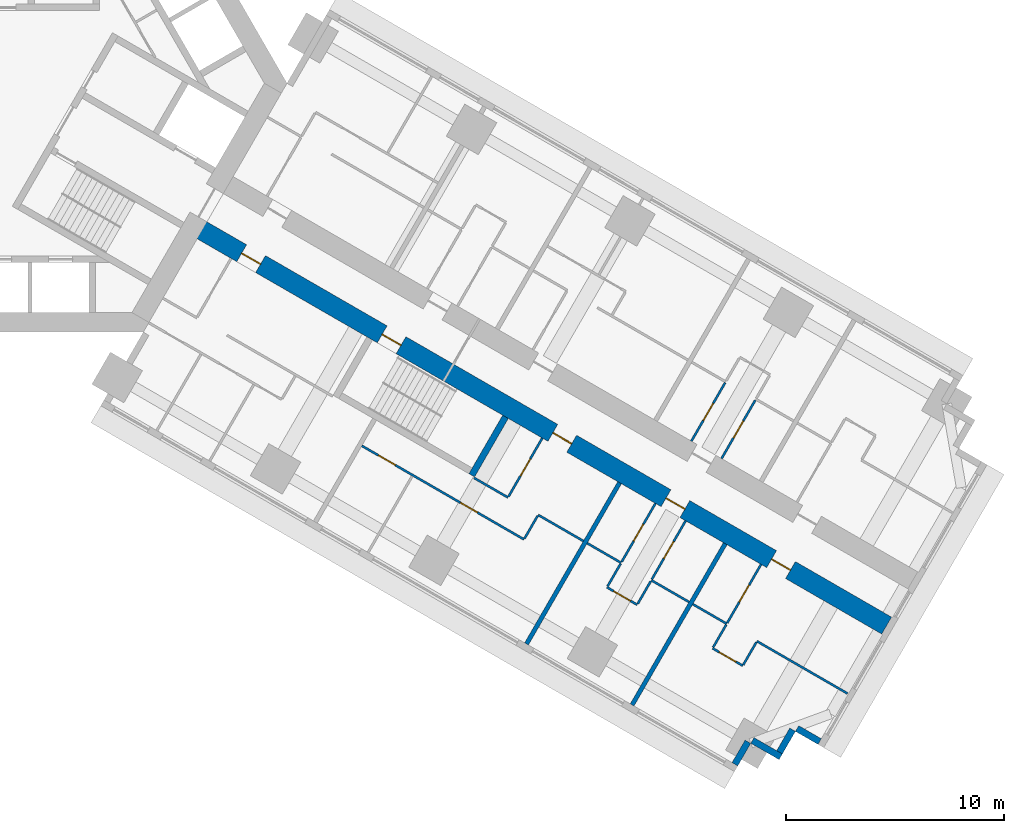
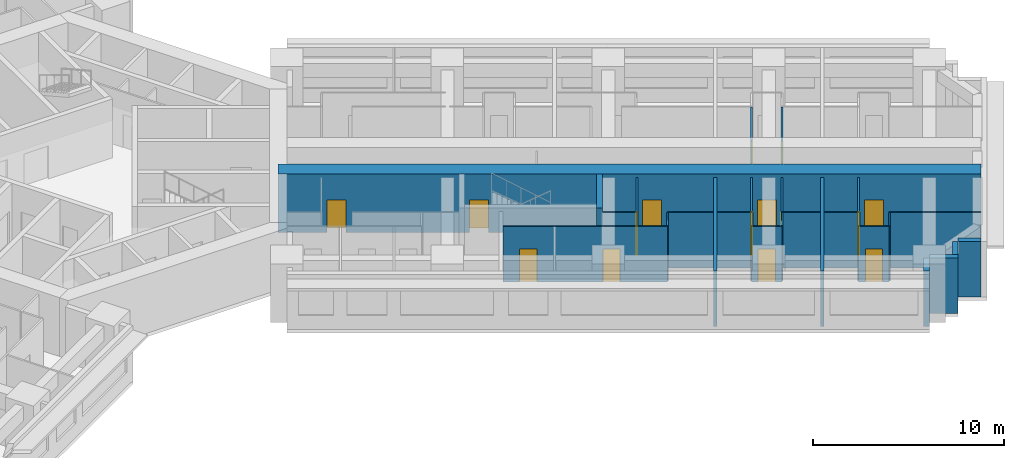
# One storey, part 11 of 16: 28 walls, 15 doors, 15 openings.
"""IFC4 building model written with IfcOpenShell, lengths in metres."""

import ifcopenshell
import ifcopenshell.guid

model = None  # the IFC model being written
_history = None  # IfcOwnerHistory: only IFC2X3 demands one
_inside = {}  # id of a spatial element -> (the spatial element, [elements in it])
_under = {}  # id of a project, library or spatial element -> (it, [spatial elements below it])
_declared = {}  # id of a project -> (the project, [libraries it declares])
_typed = {}  # id of a type object -> (the type object, [elements of that type])
_made_of = {}  # id of a material, layer set ... -> (it, [elements and type objects made of it])


def new_model(schema):
    """Start an empty IFC model of exactly this schema.

    Asked for "IFC4X3", IfcOpenShell would pick the latest addendum, in which some entities
    have other attributes; the version numbers below select the first issue.
    IFC2X3 requires an IfcOwnerHistory on every rooted entity: one is made here for all.
    """
    global model, _history
    if schema == "IFC4X3":
        model = ifcopenshell.file(schema_version=(4, 3, 0, 0))
    else:
        model = ifcopenshell.file(schema=schema)
    _inside.clear()
    _under.clear()
    _declared.clear()
    _typed.clear()
    _made_of.clear()
    _history = None
    if model.schema == "IFC2X3":
        org = make("IfcOrganization", Name="unknown")
        user = make(
            "IfcPersonAndOrganization",
            ThePerson=make("IfcPerson", FamilyName="unknown"),
            TheOrganization=org,
        )
        app = make(
            "IfcApplication",
            ApplicationDeveloper=org,
            Version="unknown",
            ApplicationFullName="unknown",
            ApplicationIdentifier="unknown",
        )
        _history = make(
            "IfcOwnerHistory",
            OwningUser=user,
            OwningApplication=app,
            ChangeAction="ADDED",
            CreationDate=0,
        )
    return model


def make(cls, **values):
    """One entity of the class cls with the attributes given. An attribute that is None is left unset."""
    return model.create_entity(
        cls, **{name: value for name, value in values.items() if value is not None}
    )


def rooted(cls, **values):
    """An entity with a GlobalId (a new one), such as an element, a storey or a relation."""
    return make(cls, GlobalId=ifcopenshell.guid.new(), OwnerHistory=_history, **values)


def si_unit(unit_type, name, prefix=None):
    """IfcSIUnit, for example si_unit("LENGTHUNIT", "METRE", prefix="MILLI")."""
    return make("IfcSIUnit", UnitType=unit_type, Prefix=prefix, Name=name)


def assignment(units):
    """IfcUnitAssignment: the units of a project."""
    return None if units is None else make("IfcUnitAssignment", Units=units)


def point(xyz):
    """IfcCartesianPoint."""
    return None if xyz is None else make("IfcCartesianPoint", Coordinates=xyz)


def direction(xyz):
    """IfcDirection."""
    return None if xyz is None else make("IfcDirection", DirectionRatios=xyz)


def frame(location, z_axis=None, x_axis=None):
    """IfcAxis2Placement3D, a coordinate frame: its origin and axes. An axis left out is left unset."""
    return make(
        "IfcAxis2Placement3D",
        Location=point(location),
        Axis=direction(z_axis),
        RefDirection=direction(x_axis),
    )


def frame_2d(location, x_axis=None):
    """IfcAxis2Placement2D, a coordinate frame in the plane: its origin and x axis."""
    return make(
        "IfcAxis2Placement2D", Location=point(location), RefDirection=direction(x_axis)
    )


def origin():
    """The frame at (0, 0, 0) with its axes left unset."""
    return frame((0.0, 0.0, 0.0))


def place(relative_to, where):
    """IfcLocalPlacement: puts the frame where relative to a parent placement (None: the world)."""
    return make(
        "IfcLocalPlacement", PlacementRelTo=relative_to, RelativePlacement=where
    )


def context(
    kind, dimensions, precision=None, world=None, true_north=None, identifier=None
):
    """IfcGeometricRepresentationContext, for example the 3D "Model" context."""
    return make(
        "IfcGeometricRepresentationContext",
        ContextIdentifier=identifier,
        ContextType=kind,
        CoordinateSpaceDimension=dimensions,
        Precision=precision,
        WorldCoordinateSystem=world,
        TrueNorth=true_north,
    )


def subcontext(parent, identifier, kind, view, scale=None):
    """IfcGeometricRepresentationSubContext, for example "Body" below "Model"."""
    return make(
        "IfcGeometricRepresentationSubContext",
        ContextIdentifier=identifier,
        ContextType=kind,
        ParentContext=parent,
        TargetScale=scale,
        TargetView=view,
    )


def project(units=None, contexts=None):
    """IfcProject with its units and contexts."""
    return rooted(
        "IfcProject",
        Name="project",
        RepresentationContexts=contexts,
        UnitsInContext=assignment(units),
    )


def spatial(cls, under=None, at=None, **own):
    """A site, building, storey or space (cls), placed at a placement, below another one or the project."""
    s = rooted(cls, ObjectPlacement=at, **own)
    if under is not None:
        _under.setdefault(under.id(), (under, []))[1].append(s)
    return s


def profile(cls, at=None, kind="AREA", **sizes):
    """A parametric profile (cls). Its sizes go by their IFC names, for example OverallWidth=200.0."""
    return make(cls, ProfileType=kind, Position=at, **sizes)


def rectangle(**sizes):
    """IfcRectangleProfileDef."""
    return profile("IfcRectangleProfileDef", **sizes)


def extrude(swept, where, along, depth):
    """IfcExtrudedAreaSolid: the profile swept, set in the frame where, extruded along a direction by depth."""
    return make(
        "IfcExtrudedAreaSolid",
        SweptArea=swept,
        Position=where,
        ExtrudedDirection=direction(along),
        Depth=depth,
    )


def shape(context_of_items, identifier, shape_type, items):
    """IfcShapeRepresentation: the items that make up one representation, for example the "Body"."""
    return make(
        "IfcShapeRepresentation",
        ContextOfItems=context_of_items,
        RepresentationIdentifier=identifier,
        RepresentationType=shape_type,
        Items=items,
    )


def material(Name=None, Category=None):
    """IfcMaterial."""
    return make("IfcMaterial", Name=Name, Category=Category)


def layer(
    of_material, thickness, ventilated=None, Name=None, Category=None, Priority=None
):
    """IfcMaterialLayer: one layer of a wall or slab, of a material (None: an air gap)."""
    return make(
        "IfcMaterialLayer",
        Material=of_material,
        LayerThickness=thickness,
        IsVentilated=ventilated,
        Name=Name,
        Category=Category,
        Priority=Priority,
    )


def layer_set(layers, Name=None):
    """IfcMaterialLayerSet."""
    return make("IfcMaterialLayerSet", MaterialLayers=layers, LayerSetName=Name)


def made_of(thing, what):
    """Note that an element or type object is made of a material, layer set ...; save() writes the relation."""
    if what is not None:
        _made_of.setdefault(what.id(), (what, []))[1].append(thing)
    return thing


def type_object(cls, material=None, **own):
    """A type object (cls), such as IfcWallType, which elements share."""
    return made_of(rooted(cls, **own), material)


def element(
    cls,
    number,
    at=None,
    inside=None,
    cuts=None,
    type_object=None,
    material=None,
    context=None,
    identifier="Body",
    shape_type=None,
    held_by="IfcProductDefinitionShape",
    body=None,
    shapes=None,
    **own,
):
    """One element of the class cls, such as IfcWall. Its Tag is "e" and its number.

    at: its placement. inside: the storey or other place that contains it. cuts: it is an
    opening in that element (IfcRelVoidsElement). A single representation is given by context,
    identifier, shape_type and body (its items); several are given by shapes. held_by: the class
    of the entity that holds the representations. save() writes the other relations.
    """
    e = rooted(cls, Tag="e%d" % number, ObjectPlacement=at, **own)
    if body is not None:
        shapes = [shape(context, identifier, shape_type, body)]
    if shapes is not None:
        e.Representation = make(held_by, Representations=shapes)
    if inside is not None:
        _inside.setdefault(inside.id(), (inside, []))[1].append(e)
    if cuts is not None:
        rooted(
            "IfcRelVoidsElement", RelatingBuildingElement=cuts, RelatedOpeningElement=e
        )
    if type_object is not None:
        _typed.setdefault(type_object.id(), (type_object, []))[1].append(e)
    return made_of(e, material)


def fill(opening, filler):
    """IfcRelFillsElement: the door or window that sits in an opening."""
    return rooted(
        "IfcRelFillsElement",
        RelatingOpeningElement=opening,
        RelatedBuildingElement=filler,
    )


def aggregate(whole, parts):
    """IfcRelAggregates: a whole, such as a stair, and the parts it consists of."""
    return rooted("IfcRelAggregates", RelatingObject=whole, RelatedObjects=parts)


def save(model, path):
    """Write the relations noted so far, then the file.

    IfcRelAggregates (storeys below a building ...), IfcRelContainedInSpatialStructure (elements
    in a storey), IfcRelDefinesByType, IfcRelAssociatesMaterial and IfcRelDeclares: one each for
    every whole, place, type object, material and project.
    """
    for whole, parts in _under.values():
        aggregate(whole, parts)
    for where, things in _inside.values():
        rooted(
            "IfcRelContainedInSpatialStructure",
            RelatedElements=things,
            RelatingStructure=where,
        )
    for kind, things in _typed.values():
        rooted("IfcRelDefinesByType", RelatedObjects=things, RelatingType=kind)
    for what, things in _made_of.values():
        rooted("IfcRelAssociatesMaterial", RelatedObjects=things, RelatingMaterial=what)
    for by, libraries in _declared.values():
        rooted("IfcRelDeclares", RelatingContext=by, RelatedDefinitions=libraries)
    model.write(path)


model = new_model("IFC4")

# Units and contexts
model_context = context("Model", 3, precision=1e-05, world=origin(), true_north=direction((0.0, 1.0)))
body_context = subcontext(model_context, "Body", "Model", "MODEL_VIEW")
ifc_project = project(units=[si_unit("LENGTHUNIT", "METRE"), si_unit("AREAUNIT", "SQUARE_METRE"), si_unit("VOLUMEUNIT", "CUBIC_METRE"), si_unit("PLANEANGLEUNIT", "RADIAN"), si_unit("MASSUNIT", "GRAM", prefix="KILO")], contexts=[model_context])

# Site, building, storey
site_placement = place(None, origin())
site = spatial("IfcSite", under=ifc_project, at=site_placement, CompositionType="ELEMENT")
building_placement = place(site_placement, origin())
building = spatial("IfcBuilding", under=site, at=building_placement, Name="Impinga Residences", CompositionType="ELEMENT")
storey_placement = place(building_placement, frame((0.0, 0.0, 48.5)))
storey = spatial("IfcBuildingStorey", under=building, at=storey_placement, Name="L11", CompositionType="ELEMENT", Elevation=48.5)

# Wall, openings, doors
ifc_material_1 = material(Name="Concrete C70/85", Category="concrete")
ifc_layer_1 = layer(ifc_material_1, 0.89990234375)
ifc_layer_set_1 = layer_set([ifc_layer_1], Name="Concrete C70/85")
wall_type_1 = type_object("IfcWallType", Name="BW1 corridor buttress wall, L05 to L22 900", PredefinedType="SHEAR", material=ifc_layer_set_1)
wall_1_placement = place(storey_placement, frame((8.910400390625, -6.530029296875, 0.0), z_axis=(0.0, 0.0, 1.0), x_axis=(0.866025284237, -0.500000207062, 0.0)))
wall_1 = element("IfcWall", 1, at=wall_1_placement, inside=storey, type_object=wall_type_1, Name="Corridor wall BW1 ED L11", PredefinedType="SHEAR", context=body_context, shape_type="SweptSolid", body=[
    extrude(rectangle(XDim=36.75, YDim=0.89990234375, at=frame_2d((18.375, 0.0))), origin(), (0.0, 0.0, 1.0), 3.75),
])
opening_1_placement = place(wall_1_placement, frame((10.0, 0.0, 0.0)))
opening_1 = element("IfcOpeningElement", 2, at=opening_1_placement, cuts=wall_1, Name="Opening D5", PredefinedType="OPENING", context=body_context, shape_type="SweptSolid", body=[
    extrude(rectangle(XDim=1.0, YDim=2.10009765625, at=frame_2d((0.5, 1.050048828125))), frame((0.0, 0.4599609375, 0.0), z_axis=(0.0, -1.0, 0.0), x_axis=(1.0, 0.0, 0.0)), (0.0, 0.0, 1.0), 0.919921875),
])
opening_2_placement = place(wall_1_placement, frame((2.550048828125, 0.0, 0.0)))
opening_2 = element("IfcOpeningElement", 3, at=opening_2_placement, cuts=wall_1, Name="Opening D1", PredefinedType="OPENING", context=body_context, shape_type="SweptSolid", body=[
    extrude(rectangle(XDim=1.0, YDim=2.10009765625, at=frame_2d((0.5, 1.050048828125))), frame((0.0, 0.4599609375, 0.0), z_axis=(0.0, -1.0, 0.0), x_axis=(1.0, 0.0, 0.0)), (0.0, 0.0, 1.0), 0.919921875),
])
opening_3_placement = place(wall_1_placement, frame((19.050048828125, 0.0, 0.0)))
opening_3 = element("IfcOpeningElement", 4, at=opening_3_placement, cuts=wall_1, Name="Opening D1", PredefinedType="OPENING", context=body_context, shape_type="SweptSolid", body=[
    extrude(rectangle(XDim=1.0, YDim=2.10009765625, at=frame_2d((0.5, 1.050048828125))), frame((0.0, 0.4599609375, 0.0), z_axis=(0.0, -1.0, 0.0), x_axis=(1.0, 0.0, 0.0)), (0.0, 0.0, 1.0), 0.919921875),
])
opening_4_placement = place(wall_1_placement, frame((25.050048828125, 0.0, 0.0)))
opening_4 = element("IfcOpeningElement", 5, at=opening_4_placement, cuts=wall_1, Name="Opening D1", PredefinedType="OPENING", context=body_context, shape_type="SweptSolid", body=[
    extrude(rectangle(XDim=1.0, YDim=2.10009765625, at=frame_2d((0.5, 1.050048828125))), frame((0.0, 0.4599609375, 0.0), z_axis=(0.0, -1.0, 0.0), x_axis=(1.0, 0.0, 0.0)), (0.0, 0.0, 1.0), 0.919921875),
])
opening_5_placement = place(wall_1_placement, frame((30.64990234375, 0.0, 0.0)))
opening_5 = element("IfcOpeningElement", 6, at=opening_5_placement, cuts=wall_1, Name="Opening D1", PredefinedType="OPENING", context=body_context, shape_type="SweptSolid", body=[
    extrude(rectangle(XDim=1.0, YDim=2.10009765625, at=frame_2d((0.5, 1.050048828125))), frame((0.0, 0.4599609375, 0.0), z_axis=(0.0, -1.0, 0.0), x_axis=(1.0, 0.0, 0.0)), (0.0, 0.0, 1.0), 0.919921875),
])
ifc_material_2 = material(Name="Timber door set", Category="wood")
door_type_1 = type_object("IfcDoorType", Name="D1 apartment entrance door 1000x2100", OperationType="SINGLE_SWING_LEFT", PredefinedType="DOOR", material=ifc_material_2)
door_1_placement = place(opening_2_placement, origin())
door_1 = element("IfcDoor", 7, at=door_1_placement, inside=storey, type_object=door_type_1, Name="Apartment L11-EF1 entrance", OperationType="SINGLE_SWING_LEFT", OverallHeight=2.10009765625, OverallWidth=1.0, PredefinedType="DOOR", context=body_context, shape_type="SweptSolid", body=[
    extrude(rectangle(XDim=1.0, YDim=2.10009765625, at=frame_2d((0.5, 1.050048828125))), frame((0.0, 0.02490234375, 0.0), z_axis=(0.0, -1.0, 0.0), x_axis=(1.0, 0.0, 0.0)), (0.0, 0.0, 1.0), 0.050048828125),
])
fill(opening_2, door_1)
door_2_placement = place(opening_3_placement, origin())
door_2 = element("IfcDoor", 8, at=door_2_placement, inside=storey, type_object=door_type_1, Name="Apartment L11-EF2 entrance", OperationType="SINGLE_SWING_RIGHT", OverallHeight=2.10009765625, OverallWidth=1.0, PredefinedType="DOOR", context=body_context, shape_type="SweptSolid", body=[
    extrude(rectangle(XDim=1.0, YDim=2.10009765625, at=frame_2d((0.5, 1.050048828125))), frame((0.0, 0.02490234375, 0.0), z_axis=(0.0, -1.0, 0.0), x_axis=(1.0, 0.0, 0.0)), (0.0, 0.0, 1.0), 0.050048828125),
])
fill(opening_3, door_2)
door_3_placement = place(opening_4_placement, origin())
door_3 = element("IfcDoor", 9, at=door_3_placement, inside=storey, type_object=door_type_1, Name="Apartment L11-EF3 entrance", OperationType="SINGLE_SWING_RIGHT", OverallHeight=2.10009765625, OverallWidth=1.0, PredefinedType="DOOR", context=body_context, shape_type="SweptSolid", body=[
    extrude(rectangle(XDim=1.0, YDim=2.10009765625, at=frame_2d((0.5, 1.050048828125))), frame((0.0, 0.02490234375, 0.0), z_axis=(0.0, -1.0, 0.0), x_axis=(1.0, 0.0, 0.0)), (0.0, 0.0, 1.0), 0.050048828125),
])
fill(opening_4, door_3)
door_4_placement = place(opening_5_placement, origin())
door_4 = element("IfcDoor", 10, at=door_4_placement, inside=storey, type_object=door_type_1, Name="Apartment L11-EF4 entrance", OperationType="SINGLE_SWING_RIGHT", OverallHeight=2.10009765625, OverallWidth=1.0, PredefinedType="DOOR", context=body_context, shape_type="SweptSolid", body=[
    extrude(rectangle(XDim=1.0, YDim=2.10009765625, at=frame_2d((0.5, 1.050048828125))), frame((0.0, 0.02490234375, 0.0), z_axis=(0.0, -1.0, 0.0), x_axis=(1.0, 0.0, 0.0)), (0.0, 0.0, 1.0), 0.050048828125),
])
fill(opening_5, door_4)
door_type_2 = type_object("IfcDoorType", Name="D5 stair door 1000x2100", OperationType="SINGLE_SWING_LEFT", PredefinedType="DOOR", material=ifc_material_2)
door_5_placement = place(opening_1_placement, origin())
door_5 = element("IfcDoor", 11, at=door_5_placement, inside=storey, type_object=door_type_2, Name="Wing stair door E", OperationType="SINGLE_SWING_LEFT", OverallHeight=2.10009765625, OverallWidth=1.0, PredefinedType="DOOR", context=body_context, shape_type="SweptSolid", body=[
    extrude(rectangle(XDim=1.0, YDim=2.10009765625, at=frame_2d((0.5, 1.050048828125))), frame((0.0, 0.02490234375, 0.0), z_axis=(0.0, -1.0, 0.0), x_axis=(1.0, 0.0, 0.0)), (0.0, 0.0, 1.0), 0.050048828125),
])
fill(opening_1, door_5)

# Walls
ifc_material_3 = material(Name="Terracotta rainscreen on blockwork", Category="masonry")
ifc_layer_2 = layer(ifc_material_3, 0.300048828125)
ifc_layer_set_2 = layer_set([ifc_layer_2], Name="EW1 external wall, terracotta rainscreen on blockwork 300")
wall_type_2 = type_object("IfcWallType", Name="EW1 external wall, terracotta rainscreen on blockwork 300", PredefinedType="SOLIDWALL", material=ifc_layer_set_2)
wall_2_placement = place(storey_placement, frame((37.66162109375, -30.23095703125, 0.0), z_axis=(0.0, 0.0, 1.0), x_axis=(-0.866059708757, 0.499940577336, 0.0)))
element("IfcWall", 12, at=wall_2_placement, inside=storey, type_object=wall_type_2, Name="External wall EW1 L11", PredefinedType="SOLIDWALL", context=body_context, shape_type="SweptSolid", body=[
    extrude(rectangle(XDim=1.195068359375, YDim=0.300048828125, at=frame_2d((0.59765625, 0.0))), origin(), (0.0, 0.0, 1.0), 3.530029296875),
])
wall_3_placement = place(storey_placement, frame((36.41748046875, -29.68603515625, 0.0), z_axis=(0.0, 0.0, 1.0), x_axis=(-0.499969057507, -0.866043267704, 0.0)))
element("IfcWall", 13, at=wall_3_placement, inside=storey, type_object=wall_type_2, Name="External wall EW1 L11", PredefinedType="SOLIDWALL", context=body_context, shape_type="SweptSolid", body=[
    extrude(rectangle(XDim=1.19970703125, YDim=0.300048828125, at=frame_2d((0.599853515625, 0.0))), origin(), (0.0, 0.0, 1.0), 3.530029296875),
])
wall_4_placement = place(storey_placement, frame((35.87255859375, -30.93017578125, 0.0), z_axis=(0.0, 0.0, 1.0), x_axis=(-0.866031096941, 0.499990139034, 0.0)))
element("IfcWall", 14, at=wall_4_placement, inside=storey, type_object=wall_type_2, Name="External wall EW1 L11", PredefinedType="SOLIDWALL", context=body_context, shape_type="SweptSolid", body=[
    extrude(rectangle(XDim=1.5, YDim=0.300048828125, at=frame_2d((0.75, 0.0))), origin(), (0.0, 0.0, 1.0), 3.530029296875),
])
wall_5_placement = place(storey_placement, frame((34.365966796875, -30.2392578125, 0.0), z_axis=(0.0, 0.0, 1.0), x_axis=(-0.499940577336, -0.866059708757, 0.0)))
element("IfcWall", 15, at=wall_5_placement, inside=storey, type_object=wall_type_2, Name="External wall EW1 L11", PredefinedType="SOLIDWALL", context=body_context, shape_type="SweptSolid", body=[
    extrude(rectangle(XDim=1.195068359375, YDim=0.300048828125, at=frame_2d((0.59765625, 0.0))), origin(), (0.0, 0.0, 1.0), 3.530029296875),
])

# Wall, opening, door
ifc_material_4 = material(Name="Gypsum board on steel studs", Category="steel")
ifc_layer_3 = layer(ifc_material_4, 0.10009765625)
ifc_layer_set_3 = layer_set([ifc_layer_3], Name="Gypsum board on steel studs")
wall_type_3 = type_object("IfcWallType", Name="IP1 partition 100", PredefinedType="PARTITIONING", material=ifc_layer_set_3)
wall_6_placement = place(storey_placement, frame((31.76953125, -16.436767578125, 0.0), z_axis=(0.0, 0.0, 1.0), x_axis=(0.499967891604, 0.866043940782, 0.0)))
wall_6 = element("IfcWall", 16, at=wall_6_placement, inside=storey, type_object=wall_type_3, Name="Partition L11-EA4:IB1", PredefinedType="PARTITIONING", context=body_context, shape_type="SweptSolid", body=[
    extrude(rectangle(XDim=3.099853515625, YDim=0.10009765625, at=frame_2d((1.5498046875, 0.0))), origin(), (0.0, 0.0, 1.0), 3.530029296875),
])
opening_6_placement = place(wall_6_placement, frame((1.10009765625, 0.0, 0.0)))
opening_6 = element("IfcOpeningElement", 17, at=opening_6_placement, cuts=wall_6, Name="Opening D2", PredefinedType="OPENING", context=body_context, shape_type="SweptSolid", body=[
    extrude(rectangle(XDim=0.89990234375, YDim=2.10009765625, at=frame_2d((0.449951171875, 1.050048828125))), frame((0.0, 0.06005859375, 0.0), z_axis=(0.0, -1.0, 0.0), x_axis=(1.0, 0.0, 0.0)), (0.0, 0.0, 1.0), 0.1201171875),
])
door_type_3 = type_object("IfcDoorType", Name="D2 internal door 900x2100", OperationType="SINGLE_SWING_LEFT", PredefinedType="DOOR", material=ifc_material_2)
door_6_placement = place(opening_6_placement, origin())
door_6 = element("IfcDoor", 18, at=door_6_placement, inside=storey, type_object=door_type_3, Name="Apartment L11-EA4 bathroom door", OperationType="SINGLE_SWING_LEFT", OverallHeight=2.10009765625, OverallWidth=0.89990234375, PredefinedType="DOOR", context=body_context, shape_type="SweptSolid", body=[
    extrude(rectangle(XDim=0.89990234375, YDim=2.10009765625, at=frame_2d((0.449951171875, 1.050048828125))), frame((0.0, 0.02490234375, 0.0), z_axis=(0.0, -1.0, 0.0), x_axis=(1.0, 0.0, 0.0)), (0.0, 0.0, 1.0), 0.050048828125),
])
fill(opening_6, door_6)

wall_7_placement = place(storey_placement, frame((33.155029296875, -17.23681640625, 0.0), z_axis=(0.0, 0.0, 1.0), x_axis=(0.500026960575, 0.86600983753, 0.0)))
wall_7 = element("IfcWall", 19, at=wall_7_placement, inside=storey, type_object=wall_type_3, Name="Partition L11-EA4:IB2", PredefinedType="PARTITIONING", context=body_context, shape_type="SweptSolid", body=[
    extrude(rectangle(XDim=3.099853515625, YDim=0.10009765625, at=frame_2d((1.5498046875, 0.0))), origin(), (0.0, 0.0, 1.0), 3.530029296875),
])
opening_7_placement = place(wall_7_placement, frame((1.10009765625, 0.0, 0.0)))
opening_7 = element("IfcOpeningElement", 20, at=opening_7_placement, cuts=wall_7, Name="Opening D2", PredefinedType="OPENING", context=body_context, shape_type="SweptSolid", body=[
    extrude(rectangle(XDim=0.89990234375, YDim=2.10009765625, at=frame_2d((0.449951171875, 1.050048828125))), frame((0.0, 0.06005859375, 0.0), z_axis=(0.0, -1.0, 0.0), x_axis=(1.0, 0.0, 0.0)), (0.0, 0.0, 1.0), 0.1201171875),
])
door_7_placement = place(opening_7_placement, origin())
door_7 = element("IfcDoor", 21, at=door_7_placement, inside=storey, type_object=door_type_3, Name="Apartment L11-EA4 WC door", OperationType="SINGLE_SWING_LEFT", OverallHeight=2.10009765625, OverallWidth=0.89990234375, PredefinedType="DOOR", context=body_context, shape_type="SweptSolid", body=[
    extrude(rectangle(XDim=0.89990234375, YDim=2.10009765625, at=frame_2d((0.449951171875, 1.050048828125))), frame((0.0, 0.02490234375, 0.0), z_axis=(0.0, -1.0, 0.0), x_axis=(1.0, 0.0, 0.0)), (0.0, 0.0, 1.0), 0.050048828125),
])
fill(opening_7, door_7)

# Walls
wall_8_placement = place(storey_placement, frame((21.789306640625, -18.122802734375, 0.0), z_axis=(0.0, 0.0, 1.0), x_axis=(0.866047807691, -0.499961193289, 0.0)))
element("IfcWall", 22, at=wall_8_placement, inside=storey, type_object=wall_type_3, Name="Partition L11-EF2:DIV0", PredefinedType="PARTITIONING", context=body_context, shape_type="SweptSolid", body=[
    extrude(rectangle(XDim=1.800048828125, YDim=0.10009765625, at=frame_2d((0.89990234375, 0.0))), origin(), (0.0, 0.0, 1.0), 3.530029296875),
])
wall_9_placement = place(storey_placement, frame((24.73388671875, -19.82275390625, 0.0), z_axis=(0.0, 0.0, 1.0), x_axis=(0.866024647952, -0.500001309137, 0.0)))
element("IfcWall", 23, at=wall_9_placement, inside=storey, type_object=wall_type_3, Name="Partition L11-EF2:DIV1", PredefinedType="PARTITIONING", context=body_context, shape_type="SweptSolid", body=[
    extrude(rectangle(XDim=2.39990234375, YDim=0.10009765625, at=frame_2d((1.199951171875, 0.0))), origin(), (0.0, 0.0, 1.0), 3.530029296875),
])

# Wall, openings, doors
wall_10_placement = place(storey_placement, frame((16.635986328125, -16.6484375, 0.0), z_axis=(0.0, 0.0, 1.0), x_axis=(0.866028165386, -0.499995216735, 0.0)))
wall_10 = element("IfcWall", 24, at=wall_10_placement, inside=storey, type_object=wall_type_3, Name="Partition L11-EF2:STRIP", PredefinedType="PARTITIONING", context=body_context, shape_type="SweptSolid", body=[
    extrude(rectangle(XDim=8.60009765625, YDim=0.10009765625, at=frame_2d((4.300048828125, 0.0))), origin(), (0.0, 0.0, 1.0), 3.530029296875),
])
opening_8_placement = place(wall_10_placement, frame((0.875, 0.0, 0.0)))
opening_8 = element("IfcOpeningElement", 25, at=opening_8_placement, cuts=wall_10, Name="Opening D2", PredefinedType="OPENING", context=body_context, shape_type="SweptSolid", body=[
    extrude(rectangle(XDim=0.89990234375, YDim=2.10009765625, at=frame_2d((0.449951171875, 1.050048828125))), frame((0.0, 0.06005859375, 0.0), z_axis=(0.0, -1.0, 0.0), x_axis=(1.0, 0.0, 0.0)), (0.0, 0.0, 1.0), 0.1201171875),
])
opening_9_placement = place(wall_10_placement, frame((5.22509765625, 0.0, 0.0)))
opening_9 = element("IfcOpeningElement", 26, at=opening_9_placement, cuts=wall_10, Name="Opening D2", PredefinedType="OPENING", context=body_context, shape_type="SweptSolid", body=[
    extrude(rectangle(XDim=0.89990234375, YDim=2.10009765625, at=frame_2d((0.449951171875, 1.050048828125))), frame((0.0, 0.06005859375, 0.0), z_axis=(0.0, -1.0, 0.0), x_axis=(1.0, 0.0, 0.0)), (0.0, 0.0, 1.0), 0.1201171875),
])
door_8_placement = place(opening_8_placement, origin())
door_8 = element("IfcDoor", 27, at=door_8_placement, inside=storey, type_object=door_type_3, Name="Apartment L11-EF2 room door", OperationType="SINGLE_SWING_LEFT", OverallHeight=2.10009765625, OverallWidth=0.89990234375, PredefinedType="DOOR", context=body_context, shape_type="SweptSolid", body=[
    extrude(rectangle(XDim=0.89990234375, YDim=2.10009765625, at=frame_2d((0.449951171875, 1.050048828125))), frame((0.0, 0.02490234375, 0.0), z_axis=(0.0, -1.0, 0.0), x_axis=(1.0, 0.0, 0.0)), (0.0, 0.0, 1.0), 0.050048828125),
])
fill(opening_8, door_8)
door_9_placement = place(opening_9_placement, origin())
door_9 = element("IfcDoor", 28, at=door_9_placement, inside=storey, type_object=door_type_3, Name="Apartment L11-EF2 room door", OperationType="SINGLE_SWING_RIGHT", OverallHeight=2.10009765625, OverallWidth=0.89990234375, PredefinedType="DOOR", context=body_context, shape_type="SweptSolid", body=[
    extrude(rectangle(XDim=0.89990234375, YDim=2.10009765625, at=frame_2d((0.449951171875, 1.050048828125))), frame((0.0, 0.02490234375, 0.0), z_axis=(0.0, -1.0, 0.0), x_axis=(1.0, 0.0, 0.0)), (0.0, 0.0, 1.0), 0.050048828125),
])
fill(opening_9, door_9)

# Wall
wall_11_placement = place(storey_placement, frame((24.708984375, -19.865966796875, 0.0), z_axis=(0.0, 0.0, 1.0), x_axis=(-0.500033551112, -0.866006032174, 0.0)))
element("IfcWall", 29, at=wall_11_placement, inside=storey, type_object=wall_type_3, Name="Partition L11-EF2:SE1", PredefinedType="PARTITIONING", context=body_context, shape_type="SweptSolid", body=[
    extrude(rectangle(XDim=1.2001953125, YDim=0.10009765625, at=frame_2d((0.60009765625, 0.0))), origin(), (0.0, 0.0, 1.0), 3.530029296875),
])

# Wall, opening, door
wall_12_placement = place(storey_placement, frame((24.92333984375, -16.294677734375, 0.0), z_axis=(0.0, 0.0, 1.0), x_axis=(-0.49999285859, -0.86602952684, 0.0)))
wall_12 = element("IfcWall", 30, at=wall_12_placement, inside=storey, type_object=wall_type_3, Name="Partition L11-EF2:IB1", PredefinedType="PARTITIONING", context=body_context, shape_type="SweptSolid", body=[
    extrude(rectangle(XDim=3.10009765625, YDim=0.10009765625, at=frame_2d((1.550048828125, 0.0))), origin(), (0.0, 0.0, 1.0), 3.530029296875),
])
opening_10_placement = place(wall_12_placement, frame((1.10009765625, 0.0, 0.0)))
opening_10 = element("IfcOpeningElement", 31, at=opening_10_placement, cuts=wall_12, Name="Opening D2", PredefinedType="OPENING", context=body_context, shape_type="SweptSolid", body=[
    extrude(rectangle(XDim=0.89990234375, YDim=2.10009765625, at=frame_2d((0.449951171875, 1.050048828125))), frame((0.0, 0.06005859375, 0.0), z_axis=(0.0, -1.0, 0.0), x_axis=(1.0, 0.0, 0.0)), (0.0, 0.0, 1.0), 0.1201171875),
])
door_10_placement = place(opening_10_placement, origin())
door_10 = element("IfcDoor", 32, at=door_10_placement, inside=storey, type_object=door_type_3, Name="Apartment L11-EF2 bathroom door", OperationType="SINGLE_SWING_LEFT", OverallHeight=2.10009765625, OverallWidth=0.89990234375, PredefinedType="DOOR", context=body_context, shape_type="SweptSolid", body=[
    extrude(rectangle(XDim=0.89990234375, YDim=2.10009765625, at=frame_2d((0.449951171875, 1.050048828125))), frame((0.0, 0.02490234375, 0.0), z_axis=(0.0, -1.0, 0.0), x_axis=(1.0, 0.0, 0.0)), (0.0, 0.0, 1.0), 0.050048828125),
])
fill(opening_10, door_10)

# Walls
wall_13_placement = place(storey_placement, frame((26.985595703125, -21.122802734375, 0.0), z_axis=(0.0, 0.0, 1.0), x_axis=(0.866047807691, -0.499961193289, 0.0)))
element("IfcWall", 33, at=wall_13_placement, inside=storey, type_object=wall_type_3, Name="Partition L11-EF3:DIV0", PredefinedType="PARTITIONING", context=body_context, shape_type="SweptSolid", body=[
    extrude(rectangle(XDim=1.800048828125, YDim=0.10009765625, at=frame_2d((0.89990234375, 0.0))), origin(), (0.0, 0.0, 1.0), 3.530029296875),
])
wall_14_placement = place(storey_placement, frame((29.93017578125, -22.82275390625, 0.0), z_axis=(0.0, 0.0, 1.0), x_axis=(0.866010750942, -0.50002537861, 0.0)))
element("IfcWall", 34, at=wall_14_placement, inside=storey, type_object=wall_type_3, Name="Partition L11-EF3:DIV1", PredefinedType="PARTITIONING", context=body_context, shape_type="SweptSolid", body=[
    extrude(rectangle(XDim=2.0, YDim=0.10009765625, at=frame_2d((1.0, 0.0))), origin(), (0.0, 0.0, 1.0), 3.530029296875),
])

# Wall, opening, door
wall_15_placement = place(storey_placement, frame((27.89453125, -23.1484375, 0.0), z_axis=(0.0, 0.0, 1.0), x_axis=(0.865989903783, -0.500061482766, 0.0)))
wall_15 = element("IfcWall", 35, at=wall_15_placement, inside=storey, type_object=wall_type_3, Name="Partition L11-EF3:STRIP", PredefinedType="PARTITIONING", context=body_context, shape_type="SweptSolid", body=[
    extrude(rectangle(XDim=1.599853515625, YDim=0.10009765625, at=frame_2d((0.7998046875, 0.0))), origin(), (0.0, 0.0, 1.0), 3.530029296875),
])
opening_11_placement = place(wall_15_placement, frame((0.35009765625, 0.0, 0.0)))
opening_11 = element("IfcOpeningElement", 36, at=opening_11_placement, cuts=wall_15, Name="Opening D2", PredefinedType="OPENING", context=body_context, shape_type="SweptSolid", body=[
    extrude(rectangle(XDim=0.89990234375, YDim=2.10009765625, at=frame_2d((0.449951171875, 1.050048828125))), frame((0.0, 0.06005859375, 0.0), z_axis=(0.0, -1.0, 0.0), x_axis=(1.0, 0.0, 0.0)), (0.0, 0.0, 1.0), 0.1201171875),
])
door_11_placement = place(opening_11_placement, origin())
door_11 = element("IfcDoor", 37, at=door_11_placement, inside=storey, type_object=door_type_3, Name="Apartment L11-EF3 room door", OperationType="SINGLE_SWING_LEFT", OverallHeight=2.10009765625, OverallWidth=0.89990234375, PredefinedType="DOOR", context=body_context, shape_type="SweptSolid", body=[
    extrude(rectangle(XDim=0.89990234375, YDim=2.10009765625, at=frame_2d((0.449951171875, 1.050048828125))), frame((0.0, 0.02490234375, 0.0), z_axis=(0.0, -1.0, 0.0), x_axis=(1.0, 0.0, 0.0)), (0.0, 0.0, 1.0), 0.050048828125),
])
fill(opening_11, door_11)

# Walls
wall_16_placement = place(storey_placement, frame((28.51953125, -22.06591796875, 0.0), z_axis=(0.0, 0.0, 1.0), x_axis=(-0.500033551112, -0.866006032174, 0.0)))
element("IfcWall", 38, at=wall_16_placement, inside=storey, type_object=wall_type_3, Name="Partition L11-EF3:SE0", PredefinedType="PARTITIONING", context=body_context, shape_type="SweptSolid", body=[
    extrude(rectangle(XDim=1.2001953125, YDim=0.10009765625, at=frame_2d((0.60009765625, 0.0))), origin(), (0.0, 0.0, 1.0), 3.530029296875),
])
wall_17_placement = place(storey_placement, frame((29.905029296875, -22.865966796875, 0.0), z_axis=(0.0, 0.0, 1.0), x_axis=(-0.499880961361, -0.866094119867, 0.0)))
element("IfcWall", 39, at=wall_17_placement, inside=storey, type_object=wall_type_3, Name="Partition L11-EF3:SE1", PredefinedType="PARTITIONING", context=body_context, shape_type="SweptSolid", body=[
    extrude(rectangle(XDim=1.199951171875, YDim=0.10009765625, at=frame_2d((0.60009765625, 0.0))), origin(), (0.0, 0.0, 1.0), 3.530029296875),
])

# Wall, opening, door
wall_18_placement = place(storey_placement, frame((30.119384765625, -19.294677734375, 0.0), z_axis=(0.0, 0.0, 1.0), x_axis=(-0.49999285859, -0.86602952684, 0.0)))
wall_18 = element("IfcWall", 40, at=wall_18_placement, inside=storey, type_object=wall_type_3, Name="Partition L11-EF3:IB1", PredefinedType="PARTITIONING", context=body_context, shape_type="SweptSolid", body=[
    extrude(rectangle(XDim=3.10009765625, YDim=0.10009765625, at=frame_2d((1.550048828125, 0.0))), origin(), (0.0, 0.0, 1.0), 3.530029296875),
])
opening_12_placement = place(wall_18_placement, frame((1.10009765625, 0.0, 0.0)))
opening_12 = element("IfcOpeningElement", 41, at=opening_12_placement, cuts=wall_18, Name="Opening D2", PredefinedType="OPENING", context=body_context, shape_type="SweptSolid", body=[
    extrude(rectangle(XDim=0.89990234375, YDim=2.10009765625, at=frame_2d((0.449951171875, 1.050048828125))), frame((0.0, 0.06005859375, 0.0), z_axis=(0.0, -1.0, 0.0), x_axis=(1.0, 0.0, 0.0)), (0.0, 0.0, 1.0), 0.1201171875),
])
door_12_placement = place(opening_12_placement, origin())
door_12 = element("IfcDoor", 42, at=door_12_placement, inside=storey, type_object=door_type_3, Name="Apartment L11-EF3 bathroom door", OperationType="SINGLE_SWING_LEFT", OverallHeight=2.10009765625, OverallWidth=0.89990234375, PredefinedType="DOOR", context=body_context, shape_type="SweptSolid", body=[
    extrude(rectangle(XDim=0.89990234375, YDim=2.10009765625, at=frame_2d((0.449951171875, 1.050048828125))), frame((0.0, 0.02490234375, 0.0), z_axis=(0.0, -1.0, 0.0), x_axis=(1.0, 0.0, 0.0)), (0.0, 0.0, 1.0), 0.050048828125),
])
fill(opening_12, door_12)

wall_19_placement = place(storey_placement, frame((31.505126953125, -20.0947265625, 0.0), z_axis=(0.0, 0.0, 1.0), x_axis=(-0.500026960575, -0.86600983753, 0.0)))
wall_19 = element("IfcWall", 43, at=wall_19_placement, inside=storey, type_object=wall_type_3, Name="Partition L11-EF3:IB2", PredefinedType="PARTITIONING", context=body_context, shape_type="SweptSolid", body=[
    extrude(rectangle(XDim=3.099853515625, YDim=0.10009765625, at=frame_2d((1.5498046875, 0.0))), origin(), (0.0, 0.0, 1.0), 3.530029296875),
])
opening_13_placement = place(wall_19_placement, frame((1.10009765625, 0.0, 0.0)))
opening_13 = element("IfcOpeningElement", 44, at=opening_13_placement, cuts=wall_19, Name="Opening D2", PredefinedType="OPENING", context=body_context, shape_type="SweptSolid", body=[
    extrude(rectangle(XDim=0.89990234375, YDim=2.10009765625, at=frame_2d((0.449951171875, 1.050048828125))), frame((0.0, 0.06005859375, 0.0), z_axis=(0.0, -1.0, 0.0), x_axis=(1.0, 0.0, 0.0)), (0.0, 0.0, 1.0), 0.1201171875),
])
door_13_placement = place(opening_13_placement, origin())
door_13 = element("IfcDoor", 45, at=door_13_placement, inside=storey, type_object=door_type_3, Name="Apartment L11-EF3 WC door", OperationType="SINGLE_SWING_LEFT", OverallHeight=2.10009765625, OverallWidth=0.89990234375, PredefinedType="DOOR", context=body_context, shape_type="SweptSolid", body=[
    extrude(rectangle(XDim=0.89990234375, YDim=2.10009765625, at=frame_2d((0.449951171875, 1.050048828125))), frame((0.0, 0.02490234375, 0.0), z_axis=(0.0, -1.0, 0.0), x_axis=(1.0, 0.0, 0.0)), (0.0, 0.0, 1.0), 0.050048828125),
])
fill(opening_13, door_13)

# Walls
wall_20_placement = place(storey_placement, frame((31.835205078125, -23.922607421875, 0.0), z_axis=(0.0, 0.0, 1.0), x_axis=(0.865989075817, -0.500062916607, 0.0)))
element("IfcWall", 46, at=wall_20_placement, inside=storey, type_object=wall_type_3, Name="Partition L11-EF4:DIV0", PredefinedType="PARTITIONING", context=body_context, shape_type="SweptSolid", body=[
    extrude(rectangle(XDim=1.800048828125, YDim=0.10009765625, at=frame_2d((0.89990234375, 0.0))), origin(), (0.0, 0.0, 1.0), 3.530029296875),
])
wall_21_placement = place(storey_placement, frame((34.77978515625, -25.622802734375, 0.0), z_axis=(0.0, 0.0, 1.0), x_axis=(0.866037363387, -0.499979284789, 0.0)))
element("IfcWall", 47, at=wall_21_placement, inside=storey, type_object=wall_type_3, Name="Partition L11-EF4:DIV1", PredefinedType="PARTITIONING", context=body_context, shape_type="SweptSolid", body=[
    extrude(rectangle(XDim=4.800048828125, YDim=0.10009765625, at=frame_2d((2.39990234375, 0.0))), origin(), (0.0, 0.0, 1.0), 3.530029296875),
])

# Wall, opening, door
wall_22_placement = place(storey_placement, frame((32.744140625, -25.948486328125, 0.0), z_axis=(0.0, 0.0, 1.0), x_axis=(0.866028054938, -0.499995408039, 0.0)))
wall_22 = element("IfcWall", 48, at=wall_22_placement, inside=storey, type_object=wall_type_3, Name="Partition L11-EF4:STRIP", PredefinedType="PARTITIONING", context=body_context, shape_type="SweptSolid", body=[
    extrude(rectangle(XDim=1.60009765625, YDim=0.10009765625, at=frame_2d((0.800048828125, 0.0))), origin(), (0.0, 0.0, 1.0), 3.530029296875),
])
opening_14_placement = place(wall_22_placement, frame((0.35009765625, 0.0, 0.0)))
opening_14 = element("IfcOpeningElement", 49, at=opening_14_placement, cuts=wall_22, Name="Opening D2", PredefinedType="OPENING", context=body_context, shape_type="SweptSolid", body=[
    extrude(rectangle(XDim=0.89990234375, YDim=2.10009765625, at=frame_2d((0.449951171875, 1.050048828125))), frame((0.0, 0.06005859375, 0.0), z_axis=(0.0, -1.0, 0.0), x_axis=(1.0, 0.0, 0.0)), (0.0, 0.0, 1.0), 0.1201171875),
])
door_14_placement = place(opening_14_placement, origin())
door_14 = element("IfcDoor", 50, at=door_14_placement, inside=storey, type_object=door_type_3, Name="Apartment L11-EF4 room door", OperationType="SINGLE_SWING_LEFT", OverallHeight=2.10009765625, OverallWidth=0.89990234375, PredefinedType="DOOR", context=body_context, shape_type="SweptSolid", body=[
    extrude(rectangle(XDim=0.89990234375, YDim=2.10009765625, at=frame_2d((0.449951171875, 1.050048828125))), frame((0.0, 0.02490234375, 0.0), z_axis=(0.0, -1.0, 0.0), x_axis=(1.0, 0.0, 0.0)), (0.0, 0.0, 1.0), 0.050048828125),
])
fill(opening_14, door_14)

# Walls
for number, where, z_axis, x_axis, name in (
    (51, (33.369140625, -24.865966796875, 0.0), (0.0, 0.0, 1.0), (-0.500033551112, -0.866006032174, 0.0), "Partition L11-EF4:SE0"),
    (52, (34.7548828125, -25.666015625, 0.0), (0.0, 0.0, 1.0), (-0.500033551112, -0.866006032174, 0.0), "Partition L11-EF4:SE1"),
):
    element("IfcWall", number, at=place(storey_placement, frame(where, z_axis=z_axis, x_axis=x_axis)), inside=storey, type_object=wall_type_3, Name=name, PredefinedType="PARTITIONING", context=body_context, shape_type="SweptSolid", body=[
        extrude(rectangle(XDim=1.2001953125, YDim=0.10009765625, at=frame_2d((0.60009765625, 0.0))), origin(), (0.0, 0.0, 1.0), 3.530029296875),
    ])

# Wall, opening, door
wall_23_placement = place(storey_placement, frame((34.96923828125, -22.0947265625, 0.0), z_axis=(0.0, 0.0, 1.0), x_axis=(-0.500026960575, -0.86600983753, 0.0)))
wall_23 = element("IfcWall", 53, at=wall_23_placement, inside=storey, type_object=wall_type_3, Name="Partition L11-EF4:IB1", PredefinedType="PARTITIONING", context=body_context, shape_type="SweptSolid", body=[
    extrude(rectangle(XDim=3.099853515625, YDim=0.10009765625, at=frame_2d((1.5498046875, 0.0))), origin(), (0.0, 0.0, 1.0), 3.530029296875),
])
opening_15_placement = place(wall_23_placement, frame((1.10009765625, 0.0, 0.0)))
opening_15 = element("IfcOpeningElement", 54, at=opening_15_placement, cuts=wall_23, Name="Opening D2", PredefinedType="OPENING", context=body_context, shape_type="SweptSolid", body=[
    extrude(rectangle(XDim=0.89990234375, YDim=2.10009765625, at=frame_2d((0.449951171875, 1.050048828125))), frame((0.0, 0.06005859375, 0.0), z_axis=(0.0, -1.0, 0.0), x_axis=(1.0, 0.0, 0.0)), (0.0, 0.0, 1.0), 0.1201171875),
])
door_15_placement = place(opening_15_placement, origin())
door_15 = element("IfcDoor", 55, at=door_15_placement, inside=storey, type_object=door_type_3, Name="Apartment L11-EF4 bathroom door", OperationType="SINGLE_SWING_LEFT", OverallHeight=2.10009765625, OverallWidth=0.89990234375, PredefinedType="DOOR", context=body_context, shape_type="SweptSolid", body=[
    extrude(rectangle(XDim=0.89990234375, YDim=2.10009765625, at=frame_2d((0.449951171875, 1.050048828125))), frame((0.0, 0.02490234375, 0.0), z_axis=(0.0, -1.0, 0.0), x_axis=(1.0, 0.0, 0.0)), (0.0, 0.0, 1.0), 0.050048828125),
])
fill(opening_15, door_15)

# Walls
ifc_material_5 = material(Name="Concrete blockwork", Category="masonry")
ifc_layer_4 = layer(ifc_material_5, 0.199951171875)
ifc_layer_set_4 = layer_set([ifc_layer_4], Name="PW1 party wall between apartments 200")
wall_type_4 = type_object("IfcWallType", Name="PW1 party wall between apartments 200", PredefinedType="SOLIDWALL", material=ifc_layer_set_4)
for number, where, z_axis, x_axis, name in (
    (56, (28.473876953125, -18.3447265625, 0.0), (0.0, 0.0, 1.0), (-0.499990227581, -0.86603104582, 0.0), "Party wall between apartments L11-EF2:PARTY"),
    (57, (33.32373046875, -21.144775390625, 0.0), (0.0, 0.0, 1.0), (-0.499990227581, -0.86603104582, 0.0), "Party wall between apartments L11-EF3:PARTY"),
):
    element("IfcWall", number, at=place(storey_placement, frame(where, z_axis=z_axis, x_axis=x_axis)), inside=storey, type_object=wall_type_4, Name=name, PredefinedType="SOLIDWALL", context=body_context, shape_type="SweptSolid", body=[
        extrude(rectangle(XDim=8.550048828125, YDim=0.199951171875, at=frame_2d((4.27490234375, 0.0))), origin(), (0.0, 0.0, 1.0), 3.530029296875),
    ])
ifc_material_6 = material(Name="Concrete C60/75", Category="concrete")
ifc_layer_5 = layer(ifc_material_6, 0.300048828125)
ifc_layer_set_5 = layer_set([ifc_layer_5], Name="Concrete C60/75")
wall_type_5 = type_object("IfcWallType", Name="SE1 wing stair enclosure wall 300", PredefinedType="SOLIDWALL", material=ifc_layer_set_5)
wall_24_placement = place(storey_placement, frame((23.234619140625, -15.31982421875, 0.0), z_axis=(0.0, 0.0, 1.0), x_axis=(-0.500026960575, -0.86600983753, 0.0)))
element("IfcWall", 58, at=wall_24_placement, inside=storey, type_object=wall_type_5, Name="Stair enclosure wall SE1 E END1 L11", PredefinedType="SOLIDWALL", context=body_context, shape_type="SweptSolid", body=[
    extrude(rectangle(XDim=3.099853515625, YDim=0.300048828125, at=frame_2d((1.5498046875, 0.0))), origin(), (0.0, 0.0, 1.0), 3.75),
])

save(model, "model.ifc")
